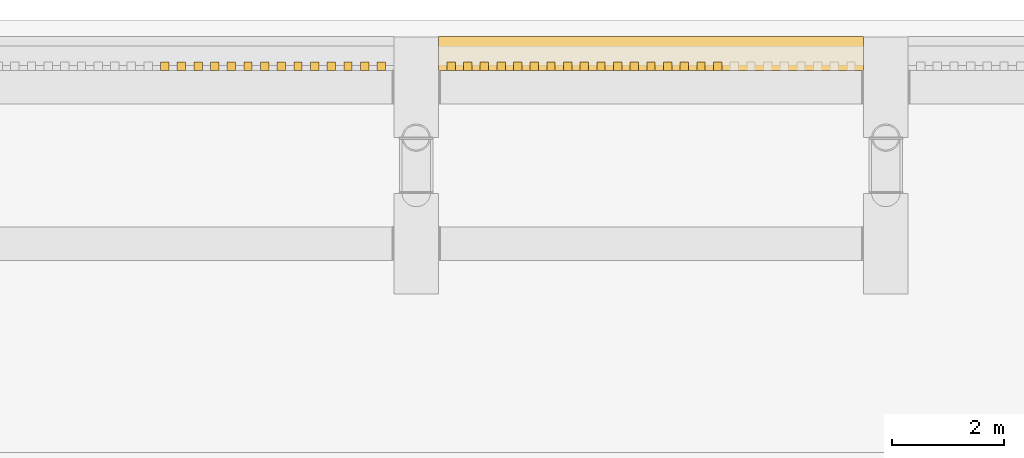
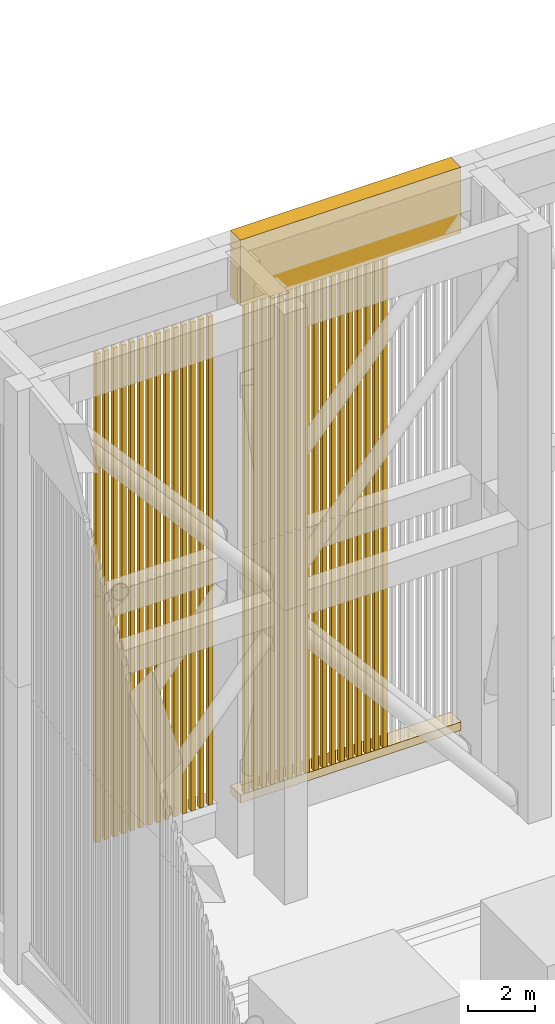
# One storey, part 21 of 27: 62 shading devices, 2 coverings.
"""IFC4 building model written with IfcOpenShell, lengths in metres."""

from ifc_helpers import new_model, si_unit, direction, frame, origin, origin_2d, place, context, subcontext, project, spatial, rectangle, extrude, material, layer, layer_set, type_object, element, save


model = new_model("IFC4")

# Units and contexts
model_context = context("Model", 3, precision=1e-05, world=origin(), true_north=direction((0.0, 1.0)))
body_context = subcontext(model_context, "Body", "Model", "MODEL_VIEW")
ifc_project = project(units=[si_unit("LENGTHUNIT", "METRE"), si_unit("AREAUNIT", "SQUARE_METRE"), si_unit("VOLUMEUNIT", "CUBIC_METRE"), si_unit("PLANEANGLEUNIT", "RADIAN"), si_unit("MASSUNIT", "GRAM", prefix="KILO")], contexts=[model_context])

# Site, building, storey
site_placement = place(None, origin())
site = spatial("IfcSite", under=ifc_project, at=site_placement, CompositionType="ELEMENT")
building_placement = place(site_placement, origin())
building = spatial("IfcBuilding", under=site, at=building_placement, Name="Claustro Exchange Tower", CompositionType="ELEMENT")
storey_placement = place(building_placement, frame((0.0, 0.0, 287.10009765625)))
storey = spatial("IfcBuildingStorey", under=building, at=storey_placement, Name="ROOF", CompositionType="ELEMENT", Elevation=287.10009765625)

# Coverings
ifc_material_1 = material(Name="Concrete HA-40 (C40/50), precast, white cement, acid-etched", Category="concrete")
ifc_layer = layer(ifc_material_1, 0.60009765625)
ifc_layer_set = layer_set([ifc_layer], Name="Concrete HA-40 (C40/50), precast, white cement, acid-etched")
covering_type = type_object("IfcCoveringType", Name="CC2 600 precast concrete crown moulding", PredefinedType="MOLDING", material=ifc_layer_set)
covering_1_placement = place(storey_placement, frame((12.60009765625, 45.400390625, 1.10009765625), z_axis=(0.0, 0.0, 1.0), x_axis=(1.0, 0.0, 0.0)))
element("IfcCovering", 1, at=covering_1_placement, inside=storey, type_object=covering_type, Name="CROWN SILL CC2 2/F+2800 - 3/F+2800", PredefinedType="MOLDING", context=body_context, shape_type="SweptSolid", body=[
    extrude(rectangle(XDim=7.59912109375, YDim=0.60009765625, at=origin_2d()), origin(), (0.0, 0.0, 1.0), 0.300048828125),
])
covering_2_placement = place(storey_placement, frame((12.60009765625, 45.400390625, 19.199951171875), z_axis=(0.0, 0.0, 1.0), x_axis=(1.0, 0.0, 0.0)))
element("IfcCovering", 2, at=covering_2_placement, inside=storey, type_object=covering_type, Name="CROWN CORNICE CC2 2/F+2800 - 3/F+2800", PredefinedType="MOLDING", context=body_context, shape_type="SweptSolid", body=[
    extrude(rectangle(XDim=7.59912109375, YDim=0.60009765625, at=origin_2d()), origin(), (0.0, 0.0, 1.0), 2.39990234375),
])

# Shading devices
ifc_material_2 = material(Name="Concrete HA-40 (C40/50), precast, white cement, acid-etched", Category="concrete")
shading_device_type = type_object("IfcShadingDeviceType", Name="LV1 150 x 150 precast concrete crown louvre", PredefinedType="USERDEFINED", material=ifc_material_2)
shading_device_1_placement = place(storey_placement, frame((3.902099609375, 45.175537109375, 1.39990234375), z_axis=(0.0, 0.0, 1.0), x_axis=(1.0, 0.0, 0.0)))
element("IfcShadingDevice", 3, at=shading_device_1_placement, inside=storey, type_object=shading_device_type, Name="CROWN LOUVRE LV1 1/F+2800 - 2/F+2800 12 lower", ObjectType="CROWN LOUVRE", PredefinedType="USERDEFINED", context=body_context, shape_type="SweptSolid", body=[
    extrude(rectangle(XDim=0.14990234375, YDim=0.14990234375, at=origin_2d()), origin(), (0.0, 0.0, 1.0), 8.949951171875),
])
shading_device_2_placement = place(storey_placement, frame((3.902099609375, 45.175537109375, 10.349853515625), z_axis=(0.0, 0.0, 1.0), x_axis=(1.0, 0.0, 0.0)))
element("IfcShadingDevice", 4, at=shading_device_2_placement, inside=storey, type_object=shading_device_type, Name="CROWN LOUVRE LV1 1/F+2800 - 2/F+2800 12 upper", ObjectType="CROWN LOUVRE", PredefinedType="USERDEFINED", context=body_context, shape_type="SweptSolid", body=[
    extrude(rectangle(XDim=0.14990234375, YDim=0.14990234375, at=origin_2d()), origin(), (0.0, 0.0, 1.0), 8.85009765625),
])
shading_device_3_placement = place(storey_placement, frame((4.199951171875, 45.175537109375, 1.39990234375), z_axis=(0.0, 0.0, 1.0), x_axis=(1.0, 0.0, 0.0)))
element("IfcShadingDevice", 5, at=shading_device_3_placement, inside=storey, type_object=shading_device_type, Name="CROWN LOUVRE LV1 1/F+2800 - 2/F+2800 13 lower", ObjectType="CROWN LOUVRE", PredefinedType="USERDEFINED", context=body_context, shape_type="SweptSolid", body=[
    extrude(rectangle(XDim=0.14990234375, YDim=0.14990234375, at=origin_2d()), origin(), (0.0, 0.0, 1.0), 8.949951171875),
])
shading_device_4_placement = place(storey_placement, frame((4.199951171875, 45.175537109375, 10.349853515625), z_axis=(0.0, 0.0, 1.0), x_axis=(1.0, 0.0, 0.0)))
element("IfcShadingDevice", 6, at=shading_device_4_placement, inside=storey, type_object=shading_device_type, Name="CROWN LOUVRE LV1 1/F+2800 - 2/F+2800 13 upper", ObjectType="CROWN LOUVRE", PredefinedType="USERDEFINED", context=body_context, shape_type="SweptSolid", body=[
    extrude(rectangle(XDim=0.14990234375, YDim=0.14990234375, at=origin_2d()), origin(), (0.0, 0.0, 1.0), 8.85009765625),
])
shading_device_5_placement = place(storey_placement, frame((4.498046875, 45.175537109375, 1.39990234375), z_axis=(0.0, 0.0, 1.0), x_axis=(1.0, 0.0, 0.0)))
element("IfcShadingDevice", 7, at=shading_device_5_placement, inside=storey, type_object=shading_device_type, Name="CROWN LOUVRE LV1 1/F+2800 - 2/F+2800 14 lower", ObjectType="CROWN LOUVRE", PredefinedType="USERDEFINED", context=body_context, shape_type="SweptSolid", body=[
    extrude(rectangle(XDim=0.14990234375, YDim=0.14990234375, at=origin_2d()), origin(), (0.0, 0.0, 1.0), 8.949951171875),
])
shading_device_6_placement = place(storey_placement, frame((4.498046875, 45.175537109375, 10.349853515625), z_axis=(0.0, 0.0, 1.0), x_axis=(1.0, 0.0, 0.0)))
element("IfcShadingDevice", 8, at=shading_device_6_placement, inside=storey, type_object=shading_device_type, Name="CROWN LOUVRE LV1 1/F+2800 - 2/F+2800 14 upper", ObjectType="CROWN LOUVRE", PredefinedType="USERDEFINED", context=body_context, shape_type="SweptSolid", body=[
    extrude(rectangle(XDim=0.14990234375, YDim=0.14990234375, at=origin_2d()), origin(), (0.0, 0.0, 1.0), 8.85009765625),
])
shading_device_7_placement = place(storey_placement, frame((4.796142578125, 45.175537109375, 1.39990234375), z_axis=(0.0, 0.0, 1.0), x_axis=(1.0, 0.0, 0.0)))
element("IfcShadingDevice", 9, at=shading_device_7_placement, inside=storey, type_object=shading_device_type, Name="CROWN LOUVRE LV1 1/F+2800 - 2/F+2800 15 lower", ObjectType="CROWN LOUVRE", PredefinedType="USERDEFINED", context=body_context, shape_type="SweptSolid", body=[
    extrude(rectangle(XDim=0.14990234375, YDim=0.14990234375, at=origin_2d()), origin(), (0.0, 0.0, 1.0), 8.949951171875),
])
shading_device_8_placement = place(storey_placement, frame((4.796142578125, 45.175537109375, 10.349853515625), z_axis=(0.0, 0.0, 1.0), x_axis=(1.0, 0.0, 0.0)))
element("IfcShadingDevice", 10, at=shading_device_8_placement, inside=storey, type_object=shading_device_type, Name="CROWN LOUVRE LV1 1/F+2800 - 2/F+2800 15 upper", ObjectType="CROWN LOUVRE", PredefinedType="USERDEFINED", context=body_context, shape_type="SweptSolid", body=[
    extrude(rectangle(XDim=0.14990234375, YDim=0.14990234375, at=origin_2d()), origin(), (0.0, 0.0, 1.0), 8.85009765625),
])
shading_device_9_placement = place(storey_placement, frame((5.093994140625, 45.175537109375, 1.39990234375), z_axis=(0.0, 0.0, 1.0), x_axis=(1.0, 0.0, 0.0)))
element("IfcShadingDevice", 11, at=shading_device_9_placement, inside=storey, type_object=shading_device_type, Name="CROWN LOUVRE LV1 1/F+2800 - 2/F+2800 16 lower", ObjectType="CROWN LOUVRE", PredefinedType="USERDEFINED", context=body_context, shape_type="SweptSolid", body=[
    extrude(rectangle(XDim=0.14990234375, YDim=0.14990234375, at=origin_2d()), origin(), (0.0, 0.0, 1.0), 8.949951171875),
])
shading_device_10_placement = place(storey_placement, frame((5.093994140625, 45.175537109375, 10.349853515625), z_axis=(0.0, 0.0, 1.0), x_axis=(1.0, 0.0, 0.0)))
element("IfcShadingDevice", 12, at=shading_device_10_placement, inside=storey, type_object=shading_device_type, Name="CROWN LOUVRE LV1 1/F+2800 - 2/F+2800 16 upper", ObjectType="CROWN LOUVRE", PredefinedType="USERDEFINED", context=body_context, shape_type="SweptSolid", body=[
    extrude(rectangle(XDim=0.14990234375, YDim=0.14990234375, at=origin_2d()), origin(), (0.0, 0.0, 1.0), 8.85009765625),
])
shading_device_11_placement = place(storey_placement, frame((5.39208984375, 45.175537109375, 1.39990234375), z_axis=(0.0, 0.0, 1.0), x_axis=(1.0, 0.0, 0.0)))
element("IfcShadingDevice", 13, at=shading_device_11_placement, inside=storey, type_object=shading_device_type, Name="CROWN LOUVRE LV1 1/F+2800 - 2/F+2800 17 lower", ObjectType="CROWN LOUVRE", PredefinedType="USERDEFINED", context=body_context, shape_type="SweptSolid", body=[
    extrude(rectangle(XDim=0.14990234375, YDim=0.14990234375, at=origin_2d()), origin(), (0.0, 0.0, 1.0), 8.949951171875),
])
shading_device_12_placement = place(storey_placement, frame((5.39208984375, 45.175537109375, 10.349853515625), z_axis=(0.0, 0.0, 1.0), x_axis=(1.0, 0.0, 0.0)))
element("IfcShadingDevice", 14, at=shading_device_12_placement, inside=storey, type_object=shading_device_type, Name="CROWN LOUVRE LV1 1/F+2800 - 2/F+2800 17 upper", ObjectType="CROWN LOUVRE", PredefinedType="USERDEFINED", context=body_context, shape_type="SweptSolid", body=[
    extrude(rectangle(XDim=0.14990234375, YDim=0.14990234375, at=origin_2d()), origin(), (0.0, 0.0, 1.0), 8.85009765625),
])
shading_device_13_placement = place(storey_placement, frame((5.690185546875, 45.175537109375, 1.39990234375), z_axis=(0.0, 0.0, 1.0), x_axis=(1.0, 0.0, 0.0)))
element("IfcShadingDevice", 15, at=shading_device_13_placement, inside=storey, type_object=shading_device_type, Name="CROWN LOUVRE LV1 1/F+2800 - 2/F+2800 18 lower", ObjectType="CROWN LOUVRE", PredefinedType="USERDEFINED", context=body_context, shape_type="SweptSolid", body=[
    extrude(rectangle(XDim=0.14990234375, YDim=0.14990234375, at=origin_2d()), origin(), (0.0, 0.0, 1.0), 8.949951171875),
])
shading_device_14_placement = place(storey_placement, frame((5.690185546875, 45.175537109375, 10.349853515625), z_axis=(0.0, 0.0, 1.0), x_axis=(1.0, 0.0, 0.0)))
element("IfcShadingDevice", 16, at=shading_device_14_placement, inside=storey, type_object=shading_device_type, Name="CROWN LOUVRE LV1 1/F+2800 - 2/F+2800 18 upper", ObjectType="CROWN LOUVRE", PredefinedType="USERDEFINED", context=body_context, shape_type="SweptSolid", body=[
    extrude(rectangle(XDim=0.14990234375, YDim=0.14990234375, at=origin_2d()), origin(), (0.0, 0.0, 1.0), 8.85009765625),
])
shading_device_15_placement = place(storey_placement, frame((5.98828125, 45.175537109375, 1.39990234375), z_axis=(0.0, 0.0, 1.0), x_axis=(1.0, 0.0, 0.0)))
element("IfcShadingDevice", 17, at=shading_device_15_placement, inside=storey, type_object=shading_device_type, Name="CROWN LOUVRE LV1 1/F+2800 - 2/F+2800 19 lower", ObjectType="CROWN LOUVRE", PredefinedType="USERDEFINED", context=body_context, shape_type="SweptSolid", body=[
    extrude(rectangle(XDim=0.14990234375, YDim=0.14990234375, at=origin_2d()), origin(), (0.0, 0.0, 1.0), 8.949951171875),
])
shading_device_16_placement = place(storey_placement, frame((5.98828125, 45.175537109375, 10.349853515625), z_axis=(0.0, 0.0, 1.0), x_axis=(1.0, 0.0, 0.0)))
element("IfcShadingDevice", 18, at=shading_device_16_placement, inside=storey, type_object=shading_device_type, Name="CROWN LOUVRE LV1 1/F+2800 - 2/F+2800 19 upper", ObjectType="CROWN LOUVRE", PredefinedType="USERDEFINED", context=body_context, shape_type="SweptSolid", body=[
    extrude(rectangle(XDim=0.14990234375, YDim=0.14990234375, at=origin_2d()), origin(), (0.0, 0.0, 1.0), 8.85009765625),
])
shading_device_17_placement = place(storey_placement, frame((6.286376953125, 45.175537109375, 1.39990234375), z_axis=(0.0, 0.0, 1.0), x_axis=(1.0, 0.0, 0.0)))
element("IfcShadingDevice", 19, at=shading_device_17_placement, inside=storey, type_object=shading_device_type, Name="CROWN LOUVRE LV1 1/F+2800 - 2/F+2800 20 lower", ObjectType="CROWN LOUVRE", PredefinedType="USERDEFINED", context=body_context, shape_type="SweptSolid", body=[
    extrude(rectangle(XDim=0.14990234375, YDim=0.14990234375, at=origin_2d()), origin(), (0.0, 0.0, 1.0), 8.949951171875),
])
shading_device_18_placement = place(storey_placement, frame((6.286376953125, 45.175537109375, 10.349853515625), z_axis=(0.0, 0.0, 1.0), x_axis=(1.0, 0.0, 0.0)))
element("IfcShadingDevice", 20, at=shading_device_18_placement, inside=storey, type_object=shading_device_type, Name="CROWN LOUVRE LV1 1/F+2800 - 2/F+2800 20 upper", ObjectType="CROWN LOUVRE", PredefinedType="USERDEFINED", context=body_context, shape_type="SweptSolid", body=[
    extrude(rectangle(XDim=0.14990234375, YDim=0.14990234375, at=origin_2d()), origin(), (0.0, 0.0, 1.0), 8.85009765625),
])
shading_device_19_placement = place(storey_placement, frame((6.584228515625, 45.175537109375, 1.39990234375), z_axis=(0.0, 0.0, 1.0), x_axis=(1.0, 0.0, 0.0)))
element("IfcShadingDevice", 21, at=shading_device_19_placement, inside=storey, type_object=shading_device_type, Name="CROWN LOUVRE LV1 1/F+2800 - 2/F+2800 21 lower", ObjectType="CROWN LOUVRE", PredefinedType="USERDEFINED", context=body_context, shape_type="SweptSolid", body=[
    extrude(rectangle(XDim=0.14990234375, YDim=0.14990234375, at=origin_2d()), origin(), (0.0, 0.0, 1.0), 8.949951171875),
])
shading_device_20_placement = place(storey_placement, frame((6.584228515625, 45.175537109375, 10.349853515625), z_axis=(0.0, 0.0, 1.0), x_axis=(1.0, 0.0, 0.0)))
element("IfcShadingDevice", 22, at=shading_device_20_placement, inside=storey, type_object=shading_device_type, Name="CROWN LOUVRE LV1 1/F+2800 - 2/F+2800 21 upper", ObjectType="CROWN LOUVRE", PredefinedType="USERDEFINED", context=body_context, shape_type="SweptSolid", body=[
    extrude(rectangle(XDim=0.14990234375, YDim=0.14990234375, at=origin_2d()), origin(), (0.0, 0.0, 1.0), 8.85009765625),
])
shading_device_21_placement = place(storey_placement, frame((6.88232421875, 45.175537109375, 1.39990234375), z_axis=(0.0, 0.0, 1.0), x_axis=(1.0, 0.0, 0.0)))
element("IfcShadingDevice", 23, at=shading_device_21_placement, inside=storey, type_object=shading_device_type, Name="CROWN LOUVRE LV1 1/F+2800 - 2/F+2800 22 lower", ObjectType="CROWN LOUVRE", PredefinedType="USERDEFINED", context=body_context, shape_type="SweptSolid", body=[
    extrude(rectangle(XDim=0.14990234375, YDim=0.14990234375, at=origin_2d()), origin(), (0.0, 0.0, 1.0), 8.949951171875),
])
shading_device_22_placement = place(storey_placement, frame((6.88232421875, 45.175537109375, 10.349853515625), z_axis=(0.0, 0.0, 1.0), x_axis=(1.0, 0.0, 0.0)))
element("IfcShadingDevice", 24, at=shading_device_22_placement, inside=storey, type_object=shading_device_type, Name="CROWN LOUVRE LV1 1/F+2800 - 2/F+2800 22 upper", ObjectType="CROWN LOUVRE", PredefinedType="USERDEFINED", context=body_context, shape_type="SweptSolid", body=[
    extrude(rectangle(XDim=0.14990234375, YDim=0.14990234375, at=origin_2d()), origin(), (0.0, 0.0, 1.0), 8.85009765625),
])
shading_device_23_placement = place(storey_placement, frame((7.180419921875, 45.175537109375, 1.39990234375), z_axis=(0.0, 0.0, 1.0), x_axis=(1.0, 0.0, 0.0)))
element("IfcShadingDevice", 25, at=shading_device_23_placement, inside=storey, type_object=shading_device_type, Name="CROWN LOUVRE LV1 1/F+2800 - 2/F+2800 23 lower", ObjectType="CROWN LOUVRE", PredefinedType="USERDEFINED", context=body_context, shape_type="SweptSolid", body=[
    extrude(rectangle(XDim=0.14990234375, YDim=0.14990234375, at=origin_2d()), origin(), (0.0, 0.0, 1.0), 8.949951171875),
])
shading_device_24_placement = place(storey_placement, frame((7.180419921875, 45.175537109375, 10.349853515625), z_axis=(0.0, 0.0, 1.0), x_axis=(1.0, 0.0, 0.0)))
element("IfcShadingDevice", 26, at=shading_device_24_placement, inside=storey, type_object=shading_device_type, Name="CROWN LOUVRE LV1 1/F+2800 - 2/F+2800 23 upper", ObjectType="CROWN LOUVRE", PredefinedType="USERDEFINED", context=body_context, shape_type="SweptSolid", body=[
    extrude(rectangle(XDim=0.14990234375, YDim=0.14990234375, at=origin_2d()), origin(), (0.0, 0.0, 1.0), 8.85009765625),
])
shading_device_25_placement = place(storey_placement, frame((7.478515625, 45.175537109375, 1.39990234375), z_axis=(0.0, 0.0, 1.0), x_axis=(1.0, 0.0, 0.0)))
element("IfcShadingDevice", 27, at=shading_device_25_placement, inside=storey, type_object=shading_device_type, Name="CROWN LOUVRE LV1 1/F+2800 - 2/F+2800 24 lower", ObjectType="CROWN LOUVRE", PredefinedType="USERDEFINED", context=body_context, shape_type="SweptSolid", body=[
    extrude(rectangle(XDim=0.14990234375, YDim=0.14990234375, at=origin_2d()), origin(), (0.0, 0.0, 1.0), 8.949951171875),
])
shading_device_26_placement = place(storey_placement, frame((7.478515625, 45.175537109375, 10.349853515625), z_axis=(0.0, 0.0, 1.0), x_axis=(1.0, 0.0, 0.0)))
element("IfcShadingDevice", 28, at=shading_device_26_placement, inside=storey, type_object=shading_device_type, Name="CROWN LOUVRE LV1 1/F+2800 - 2/F+2800 24 upper", ObjectType="CROWN LOUVRE", PredefinedType="USERDEFINED", context=body_context, shape_type="SweptSolid", body=[
    extrude(rectangle(XDim=0.14990234375, YDim=0.14990234375, at=origin_2d()), origin(), (0.0, 0.0, 1.0), 8.85009765625),
])
shading_device_27_placement = place(storey_placement, frame((7.776611328125, 45.175537109375, 1.39990234375), z_axis=(0.0, 0.0, 1.0), x_axis=(1.0, 0.0, 0.0)))
element("IfcShadingDevice", 29, at=shading_device_27_placement, inside=storey, type_object=shading_device_type, Name="CROWN LOUVRE LV1 1/F+2800 - 2/F+2800 25 lower", ObjectType="CROWN LOUVRE", PredefinedType="USERDEFINED", context=body_context, shape_type="SweptSolid", body=[
    extrude(rectangle(XDim=0.14990234375, YDim=0.14990234375, at=origin_2d()), origin(), (0.0, 0.0, 1.0), 8.949951171875),
])
shading_device_28_placement = place(storey_placement, frame((7.776611328125, 45.175537109375, 10.349853515625), z_axis=(0.0, 0.0, 1.0), x_axis=(1.0, 0.0, 0.0)))
element("IfcShadingDevice", 30, at=shading_device_28_placement, inside=storey, type_object=shading_device_type, Name="CROWN LOUVRE LV1 1/F+2800 - 2/F+2800 25 upper", ObjectType="CROWN LOUVRE", PredefinedType="USERDEFINED", context=body_context, shape_type="SweptSolid", body=[
    extrude(rectangle(XDim=0.14990234375, YDim=0.14990234375, at=origin_2d()), origin(), (0.0, 0.0, 1.0), 8.85009765625),
])
shading_device_29_placement = place(storey_placement, frame((9.0234375, 45.175537109375, 1.39990234375), z_axis=(0.0, 0.0, 1.0), x_axis=(1.0, 0.0, 0.0)))
element("IfcShadingDevice", 31, at=shading_device_29_placement, inside=storey, type_object=shading_device_type, Name="CROWN LOUVRE LV1 2/F+2800 - 3/F+2800 01 lower", ObjectType="CROWN LOUVRE", PredefinedType="USERDEFINED", context=body_context, shape_type="SweptSolid", body=[
    extrude(rectangle(XDim=0.14990234375, YDim=0.14990234375, at=origin_2d()), origin(), (0.0, 0.0, 1.0), 8.949951171875),
])
shading_device_30_placement = place(storey_placement, frame((9.0234375, 45.175537109375, 10.349853515625), z_axis=(0.0, 0.0, 1.0), x_axis=(1.0, 0.0, 0.0)))
element("IfcShadingDevice", 32, at=shading_device_30_placement, inside=storey, type_object=shading_device_type, Name="CROWN LOUVRE LV1 2/F+2800 - 3/F+2800 01 upper", ObjectType="CROWN LOUVRE", PredefinedType="USERDEFINED", context=body_context, shape_type="SweptSolid", body=[
    extrude(rectangle(XDim=0.14990234375, YDim=0.14990234375, at=origin_2d()), origin(), (0.0, 0.0, 1.0), 8.85009765625),
])
shading_device_31_placement = place(storey_placement, frame((9.321533203125, 45.175537109375, 1.39990234375), z_axis=(0.0, 0.0, 1.0), x_axis=(1.0, 0.0, 0.0)))
element("IfcShadingDevice", 33, at=shading_device_31_placement, inside=storey, type_object=shading_device_type, Name="CROWN LOUVRE LV1 2/F+2800 - 3/F+2800 02 lower", ObjectType="CROWN LOUVRE", PredefinedType="USERDEFINED", context=body_context, shape_type="SweptSolid", body=[
    extrude(rectangle(XDim=0.14990234375, YDim=0.14990234375, at=origin_2d()), origin(), (0.0, 0.0, 1.0), 8.949951171875),
])
shading_device_32_placement = place(storey_placement, frame((9.321533203125, 45.175537109375, 10.349853515625), z_axis=(0.0, 0.0, 1.0), x_axis=(1.0, 0.0, 0.0)))
element("IfcShadingDevice", 34, at=shading_device_32_placement, inside=storey, type_object=shading_device_type, Name="CROWN LOUVRE LV1 2/F+2800 - 3/F+2800 02 upper", ObjectType="CROWN LOUVRE", PredefinedType="USERDEFINED", context=body_context, shape_type="SweptSolid", body=[
    extrude(rectangle(XDim=0.14990234375, YDim=0.14990234375, at=origin_2d()), origin(), (0.0, 0.0, 1.0), 8.85009765625),
])
shading_device_33_placement = place(storey_placement, frame((9.61962890625, 45.175537109375, 1.39990234375), z_axis=(0.0, 0.0, 1.0), x_axis=(1.0, 0.0, 0.0)))
element("IfcShadingDevice", 35, at=shading_device_33_placement, inside=storey, type_object=shading_device_type, Name="CROWN LOUVRE LV1 2/F+2800 - 3/F+2800 03 lower", ObjectType="CROWN LOUVRE", PredefinedType="USERDEFINED", context=body_context, shape_type="SweptSolid", body=[
    extrude(rectangle(XDim=0.14990234375, YDim=0.14990234375, at=origin_2d()), origin(), (0.0, 0.0, 1.0), 8.949951171875),
])
shading_device_34_placement = place(storey_placement, frame((9.61962890625, 45.175537109375, 10.349853515625), z_axis=(0.0, 0.0, 1.0), x_axis=(1.0, 0.0, 0.0)))
element("IfcShadingDevice", 36, at=shading_device_34_placement, inside=storey, type_object=shading_device_type, Name="CROWN LOUVRE LV1 2/F+2800 - 3/F+2800 03 upper", ObjectType="CROWN LOUVRE", PredefinedType="USERDEFINED", context=body_context, shape_type="SweptSolid", body=[
    extrude(rectangle(XDim=0.14990234375, YDim=0.14990234375, at=origin_2d()), origin(), (0.0, 0.0, 1.0), 8.85009765625),
])
shading_device_35_placement = place(storey_placement, frame((9.917724609375, 45.175537109375, 1.39990234375), z_axis=(0.0, 0.0, 1.0), x_axis=(1.0, 0.0, 0.0)))
element("IfcShadingDevice", 37, at=shading_device_35_placement, inside=storey, type_object=shading_device_type, Name="CROWN LOUVRE LV1 2/F+2800 - 3/F+2800 04 lower", ObjectType="CROWN LOUVRE", PredefinedType="USERDEFINED", context=body_context, shape_type="SweptSolid", body=[
    extrude(rectangle(XDim=0.14990234375, YDim=0.14990234375, at=origin_2d()), origin(), (0.0, 0.0, 1.0), 8.949951171875),
])
shading_device_36_placement = place(storey_placement, frame((9.917724609375, 45.175537109375, 10.349853515625), z_axis=(0.0, 0.0, 1.0), x_axis=(1.0, 0.0, 0.0)))
element("IfcShadingDevice", 38, at=shading_device_36_placement, inside=storey, type_object=shading_device_type, Name="CROWN LOUVRE LV1 2/F+2800 - 3/F+2800 04 upper", ObjectType="CROWN LOUVRE", PredefinedType="USERDEFINED", context=body_context, shape_type="SweptSolid", body=[
    extrude(rectangle(XDim=0.14990234375, YDim=0.14990234375, at=origin_2d()), origin(), (0.0, 0.0, 1.0), 8.85009765625),
])
shading_device_37_placement = place(storey_placement, frame((10.2158203125, 45.175537109375, 1.39990234375), z_axis=(0.0, 0.0, 1.0), x_axis=(1.0, 0.0, 0.0)))
element("IfcShadingDevice", 39, at=shading_device_37_placement, inside=storey, type_object=shading_device_type, Name="CROWN LOUVRE LV1 2/F+2800 - 3/F+2800 05 lower", ObjectType="CROWN LOUVRE", PredefinedType="USERDEFINED", context=body_context, shape_type="SweptSolid", body=[
    extrude(rectangle(XDim=0.14990234375, YDim=0.14990234375, at=origin_2d()), origin(), (0.0, 0.0, 1.0), 8.949951171875),
])
shading_device_38_placement = place(storey_placement, frame((10.2158203125, 45.175537109375, 10.349853515625), z_axis=(0.0, 0.0, 1.0), x_axis=(1.0, 0.0, 0.0)))
element("IfcShadingDevice", 40, at=shading_device_38_placement, inside=storey, type_object=shading_device_type, Name="CROWN LOUVRE LV1 2/F+2800 - 3/F+2800 05 upper", ObjectType="CROWN LOUVRE", PredefinedType="USERDEFINED", context=body_context, shape_type="SweptSolid", body=[
    extrude(rectangle(XDim=0.14990234375, YDim=0.14990234375, at=origin_2d()), origin(), (0.0, 0.0, 1.0), 8.85009765625),
])
shading_device_39_placement = place(storey_placement, frame((10.513671875, 45.175537109375, 1.39990234375), z_axis=(0.0, 0.0, 1.0), x_axis=(1.0, 0.0, 0.0)))
element("IfcShadingDevice", 41, at=shading_device_39_placement, inside=storey, type_object=shading_device_type, Name="CROWN LOUVRE LV1 2/F+2800 - 3/F+2800 06 lower", ObjectType="CROWN LOUVRE", PredefinedType="USERDEFINED", context=body_context, shape_type="SweptSolid", body=[
    extrude(rectangle(XDim=0.14990234375, YDim=0.14990234375, at=origin_2d()), origin(), (0.0, 0.0, 1.0), 8.949951171875),
])
shading_device_40_placement = place(storey_placement, frame((10.513671875, 45.175537109375, 10.349853515625), z_axis=(0.0, 0.0, 1.0), x_axis=(1.0, 0.0, 0.0)))
element("IfcShadingDevice", 42, at=shading_device_40_placement, inside=storey, type_object=shading_device_type, Name="CROWN LOUVRE LV1 2/F+2800 - 3/F+2800 06 upper", ObjectType="CROWN LOUVRE", PredefinedType="USERDEFINED", context=body_context, shape_type="SweptSolid", body=[
    extrude(rectangle(XDim=0.14990234375, YDim=0.14990234375, at=origin_2d()), origin(), (0.0, 0.0, 1.0), 8.85009765625),
])
shading_device_41_placement = place(storey_placement, frame((10.811767578125, 45.175537109375, 1.39990234375), z_axis=(0.0, 0.0, 1.0), x_axis=(1.0, 0.0, 0.0)))
element("IfcShadingDevice", 43, at=shading_device_41_placement, inside=storey, type_object=shading_device_type, Name="CROWN LOUVRE LV1 2/F+2800 - 3/F+2800 07 lower", ObjectType="CROWN LOUVRE", PredefinedType="USERDEFINED", context=body_context, shape_type="SweptSolid", body=[
    extrude(rectangle(XDim=0.14990234375, YDim=0.14990234375, at=origin_2d()), origin(), (0.0, 0.0, 1.0), 8.949951171875),
])
shading_device_42_placement = place(storey_placement, frame((10.811767578125, 45.175537109375, 10.349853515625), z_axis=(0.0, 0.0, 1.0), x_axis=(1.0, 0.0, 0.0)))
element("IfcShadingDevice", 44, at=shading_device_42_placement, inside=storey, type_object=shading_device_type, Name="CROWN LOUVRE LV1 2/F+2800 - 3/F+2800 07 upper", ObjectType="CROWN LOUVRE", PredefinedType="USERDEFINED", context=body_context, shape_type="SweptSolid", body=[
    extrude(rectangle(XDim=0.14990234375, YDim=0.14990234375, at=origin_2d()), origin(), (0.0, 0.0, 1.0), 8.85009765625),
])
shading_device_43_placement = place(storey_placement, frame((11.10986328125, 45.175537109375, 1.39990234375), z_axis=(0.0, 0.0, 1.0), x_axis=(1.0, 0.0, 0.0)))
element("IfcShadingDevice", 45, at=shading_device_43_placement, inside=storey, type_object=shading_device_type, Name="CROWN LOUVRE LV1 2/F+2800 - 3/F+2800 08 lower", ObjectType="CROWN LOUVRE", PredefinedType="USERDEFINED", context=body_context, shape_type="SweptSolid", body=[
    extrude(rectangle(XDim=0.14990234375, YDim=0.14990234375, at=origin_2d()), origin(), (0.0, 0.0, 1.0), 8.949951171875),
])
shading_device_44_placement = place(storey_placement, frame((11.10986328125, 45.175537109375, 10.349853515625), z_axis=(0.0, 0.0, 1.0), x_axis=(1.0, 0.0, 0.0)))
element("IfcShadingDevice", 46, at=shading_device_44_placement, inside=storey, type_object=shading_device_type, Name="CROWN LOUVRE LV1 2/F+2800 - 3/F+2800 08 upper", ObjectType="CROWN LOUVRE", PredefinedType="USERDEFINED", context=body_context, shape_type="SweptSolid", body=[
    extrude(rectangle(XDim=0.14990234375, YDim=0.14990234375, at=origin_2d()), origin(), (0.0, 0.0, 1.0), 8.85009765625),
])
shading_device_45_placement = place(storey_placement, frame((11.40771484375, 45.175537109375, 1.39990234375), z_axis=(0.0, 0.0, 1.0), x_axis=(1.0, 0.0, 0.0)))
element("IfcShadingDevice", 47, at=shading_device_45_placement, inside=storey, type_object=shading_device_type, Name="CROWN LOUVRE LV1 2/F+2800 - 3/F+2800 09 lower", ObjectType="CROWN LOUVRE", PredefinedType="USERDEFINED", context=body_context, shape_type="SweptSolid", body=[
    extrude(rectangle(XDim=0.14990234375, YDim=0.14990234375, at=origin_2d()), origin(), (0.0, 0.0, 1.0), 8.949951171875),
])
shading_device_46_placement = place(storey_placement, frame((11.40771484375, 45.175537109375, 10.349853515625), z_axis=(0.0, 0.0, 1.0), x_axis=(1.0, 0.0, 0.0)))
element("IfcShadingDevice", 48, at=shading_device_46_placement, inside=storey, type_object=shading_device_type, Name="CROWN LOUVRE LV1 2/F+2800 - 3/F+2800 09 upper", ObjectType="CROWN LOUVRE", PredefinedType="USERDEFINED", context=body_context, shape_type="SweptSolid", body=[
    extrude(rectangle(XDim=0.14990234375, YDim=0.14990234375, at=origin_2d()), origin(), (0.0, 0.0, 1.0), 8.85009765625),
])
shading_device_47_placement = place(storey_placement, frame((11.705810546875, 45.175537109375, 1.39990234375), z_axis=(0.0, 0.0, 1.0), x_axis=(1.0, 0.0, 0.0)))
element("IfcShadingDevice", 49, at=shading_device_47_placement, inside=storey, type_object=shading_device_type, Name="CROWN LOUVRE LV1 2/F+2800 - 3/F+2800 10 lower", ObjectType="CROWN LOUVRE", PredefinedType="USERDEFINED", context=body_context, shape_type="SweptSolid", body=[
    extrude(rectangle(XDim=0.14990234375, YDim=0.14990234375, at=origin_2d()), origin(), (0.0, 0.0, 1.0), 8.949951171875),
])
shading_device_48_placement = place(storey_placement, frame((11.705810546875, 45.175537109375, 10.349853515625), z_axis=(0.0, 0.0, 1.0), x_axis=(1.0, 0.0, 0.0)))
element("IfcShadingDevice", 50, at=shading_device_48_placement, inside=storey, type_object=shading_device_type, Name="CROWN LOUVRE LV1 2/F+2800 - 3/F+2800 10 upper", ObjectType="CROWN LOUVRE", PredefinedType="USERDEFINED", context=body_context, shape_type="SweptSolid", body=[
    extrude(rectangle(XDim=0.14990234375, YDim=0.14990234375, at=origin_2d()), origin(), (0.0, 0.0, 1.0), 8.85009765625),
])
shading_device_49_placement = place(storey_placement, frame((12.00390625, 45.175537109375, 1.39990234375), z_axis=(0.0, 0.0, 1.0), x_axis=(1.0, 0.0, 0.0)))
element("IfcShadingDevice", 51, at=shading_device_49_placement, inside=storey, type_object=shading_device_type, Name="CROWN LOUVRE LV1 2/F+2800 - 3/F+2800 11 lower", ObjectType="CROWN LOUVRE", PredefinedType="USERDEFINED", context=body_context, shape_type="SweptSolid", body=[
    extrude(rectangle(XDim=0.14990234375, YDim=0.14990234375, at=origin_2d()), origin(), (0.0, 0.0, 1.0), 8.949951171875),
])
shading_device_50_placement = place(storey_placement, frame((12.00390625, 45.175537109375, 10.349853515625), z_axis=(0.0, 0.0, 1.0), x_axis=(1.0, 0.0, 0.0)))
element("IfcShadingDevice", 52, at=shading_device_50_placement, inside=storey, type_object=shading_device_type, Name="CROWN LOUVRE LV1 2/F+2800 - 3/F+2800 11 upper", ObjectType="CROWN LOUVRE", PredefinedType="USERDEFINED", context=body_context, shape_type="SweptSolid", body=[
    extrude(rectangle(XDim=0.14990234375, YDim=0.14990234375, at=origin_2d()), origin(), (0.0, 0.0, 1.0), 8.85009765625),
])
shading_device_51_placement = place(storey_placement, frame((12.302001953125, 45.175537109375, 1.39990234375), z_axis=(0.0, 0.0, 1.0), x_axis=(1.0, 0.0, 0.0)))
element("IfcShadingDevice", 53, at=shading_device_51_placement, inside=storey, type_object=shading_device_type, Name="CROWN LOUVRE LV1 2/F+2800 - 3/F+2800 12 lower", ObjectType="CROWN LOUVRE", PredefinedType="USERDEFINED", context=body_context, shape_type="SweptSolid", body=[
    extrude(rectangle(XDim=0.14990234375, YDim=0.14990234375, at=origin_2d()), origin(), (0.0, 0.0, 1.0), 8.949951171875),
])
shading_device_52_placement = place(storey_placement, frame((12.302001953125, 45.175537109375, 10.349853515625), z_axis=(0.0, 0.0, 1.0), x_axis=(1.0, 0.0, 0.0)))
element("IfcShadingDevice", 54, at=shading_device_52_placement, inside=storey, type_object=shading_device_type, Name="CROWN LOUVRE LV1 2/F+2800 - 3/F+2800 12 upper", ObjectType="CROWN LOUVRE", PredefinedType="USERDEFINED", context=body_context, shape_type="SweptSolid", body=[
    extrude(rectangle(XDim=0.14990234375, YDim=0.14990234375, at=origin_2d()), origin(), (0.0, 0.0, 1.0), 8.85009765625),
])
shading_device_53_placement = place(storey_placement, frame((12.60009765625, 45.175537109375, 1.39990234375), z_axis=(0.0, 0.0, 1.0), x_axis=(1.0, 0.0, 0.0)))
element("IfcShadingDevice", 55, at=shading_device_53_placement, inside=storey, type_object=shading_device_type, Name="CROWN LOUVRE LV1 2/F+2800 - 3/F+2800 13 lower", ObjectType="CROWN LOUVRE", PredefinedType="USERDEFINED", context=body_context, shape_type="SweptSolid", body=[
    extrude(rectangle(XDim=0.14990234375, YDim=0.14990234375, at=origin_2d()), origin(), (0.0, 0.0, 1.0), 8.949951171875),
])
shading_device_54_placement = place(storey_placement, frame((12.60009765625, 45.175537109375, 10.349853515625), z_axis=(0.0, 0.0, 1.0), x_axis=(1.0, 0.0, 0.0)))
element("IfcShadingDevice", 56, at=shading_device_54_placement, inside=storey, type_object=shading_device_type, Name="CROWN LOUVRE LV1 2/F+2800 - 3/F+2800 13 upper", ObjectType="CROWN LOUVRE", PredefinedType="USERDEFINED", context=body_context, shape_type="SweptSolid", body=[
    extrude(rectangle(XDim=0.14990234375, YDim=0.14990234375, at=origin_2d()), origin(), (0.0, 0.0, 1.0), 8.85009765625),
])
shading_device_55_placement = place(storey_placement, frame((12.89794921875, 45.175537109375, 1.39990234375), z_axis=(0.0, 0.0, 1.0), x_axis=(1.0, 0.0, 0.0)))
element("IfcShadingDevice", 57, at=shading_device_55_placement, inside=storey, type_object=shading_device_type, Name="CROWN LOUVRE LV1 2/F+2800 - 3/F+2800 14 lower", ObjectType="CROWN LOUVRE", PredefinedType="USERDEFINED", context=body_context, shape_type="SweptSolid", body=[
    extrude(rectangle(XDim=0.14990234375, YDim=0.14990234375, at=origin_2d()), origin(), (0.0, 0.0, 1.0), 8.949951171875),
])
shading_device_56_placement = place(storey_placement, frame((12.89794921875, 45.175537109375, 10.349853515625), z_axis=(0.0, 0.0, 1.0), x_axis=(1.0, 0.0, 0.0)))
element("IfcShadingDevice", 58, at=shading_device_56_placement, inside=storey, type_object=shading_device_type, Name="CROWN LOUVRE LV1 2/F+2800 - 3/F+2800 14 upper", ObjectType="CROWN LOUVRE", PredefinedType="USERDEFINED", context=body_context, shape_type="SweptSolid", body=[
    extrude(rectangle(XDim=0.14990234375, YDim=0.14990234375, at=origin_2d()), origin(), (0.0, 0.0, 1.0), 8.85009765625),
])
shading_device_57_placement = place(storey_placement, frame((13.196044921875, 45.175537109375, 1.39990234375), z_axis=(0.0, 0.0, 1.0), x_axis=(1.0, 0.0, 0.0)))
element("IfcShadingDevice", 59, at=shading_device_57_placement, inside=storey, type_object=shading_device_type, Name="CROWN LOUVRE LV1 2/F+2800 - 3/F+2800 15 lower", ObjectType="CROWN LOUVRE", PredefinedType="USERDEFINED", context=body_context, shape_type="SweptSolid", body=[
    extrude(rectangle(XDim=0.14990234375, YDim=0.14990234375, at=origin_2d()), origin(), (0.0, 0.0, 1.0), 8.949951171875),
])
shading_device_58_placement = place(storey_placement, frame((13.196044921875, 45.175537109375, 10.349853515625), z_axis=(0.0, 0.0, 1.0), x_axis=(1.0, 0.0, 0.0)))
element("IfcShadingDevice", 60, at=shading_device_58_placement, inside=storey, type_object=shading_device_type, Name="CROWN LOUVRE LV1 2/F+2800 - 3/F+2800 15 upper", ObjectType="CROWN LOUVRE", PredefinedType="USERDEFINED", context=body_context, shape_type="SweptSolid", body=[
    extrude(rectangle(XDim=0.14990234375, YDim=0.14990234375, at=origin_2d()), origin(), (0.0, 0.0, 1.0), 8.85009765625),
])
shading_device_59_placement = place(storey_placement, frame((13.494140625, 45.175537109375, 1.39990234375), z_axis=(0.0, 0.0, 1.0), x_axis=(1.0, 0.0, 0.0)))
element("IfcShadingDevice", 61, at=shading_device_59_placement, inside=storey, type_object=shading_device_type, Name="CROWN LOUVRE LV1 2/F+2800 - 3/F+2800 16 lower", ObjectType="CROWN LOUVRE", PredefinedType="USERDEFINED", context=body_context, shape_type="SweptSolid", body=[
    extrude(rectangle(XDim=0.14990234375, YDim=0.14990234375, at=origin_2d()), origin(), (0.0, 0.0, 1.0), 8.949951171875),
])
shading_device_60_placement = place(storey_placement, frame((13.494140625, 45.175537109375, 10.349853515625), z_axis=(0.0, 0.0, 1.0), x_axis=(1.0, 0.0, 0.0)))
element("IfcShadingDevice", 62, at=shading_device_60_placement, inside=storey, type_object=shading_device_type, Name="CROWN LOUVRE LV1 2/F+2800 - 3/F+2800 16 upper", ObjectType="CROWN LOUVRE", PredefinedType="USERDEFINED", context=body_context, shape_type="SweptSolid", body=[
    extrude(rectangle(XDim=0.14990234375, YDim=0.14990234375, at=origin_2d()), origin(), (0.0, 0.0, 1.0), 8.85009765625),
])
shading_device_61_placement = place(storey_placement, frame((13.792236328125, 45.175537109375, 1.39990234375), z_axis=(0.0, 0.0, 1.0), x_axis=(1.0, 0.0, 0.0)))
element("IfcShadingDevice", 63, at=shading_device_61_placement, inside=storey, type_object=shading_device_type, Name="CROWN LOUVRE LV1 2/F+2800 - 3/F+2800 17 lower", ObjectType="CROWN LOUVRE", PredefinedType="USERDEFINED", context=body_context, shape_type="SweptSolid", body=[
    extrude(rectangle(XDim=0.14990234375, YDim=0.14990234375, at=origin_2d()), origin(), (0.0, 0.0, 1.0), 8.949951171875),
])
shading_device_62_placement = place(storey_placement, frame((13.792236328125, 45.175537109375, 10.349853515625), z_axis=(0.0, 0.0, 1.0), x_axis=(1.0, 0.0, 0.0)))
element("IfcShadingDevice", 64, at=shading_device_62_placement, inside=storey, type_object=shading_device_type, Name="CROWN LOUVRE LV1 2/F+2800 - 3/F+2800 17 upper", ObjectType="CROWN LOUVRE", PredefinedType="USERDEFINED", context=body_context, shape_type="SweptSolid", body=[
    extrude(rectangle(XDim=0.14990234375, YDim=0.14990234375, at=origin_2d()), origin(), (0.0, 0.0, 1.0), 8.85009765625),
])

save(model, "model.ifc")
